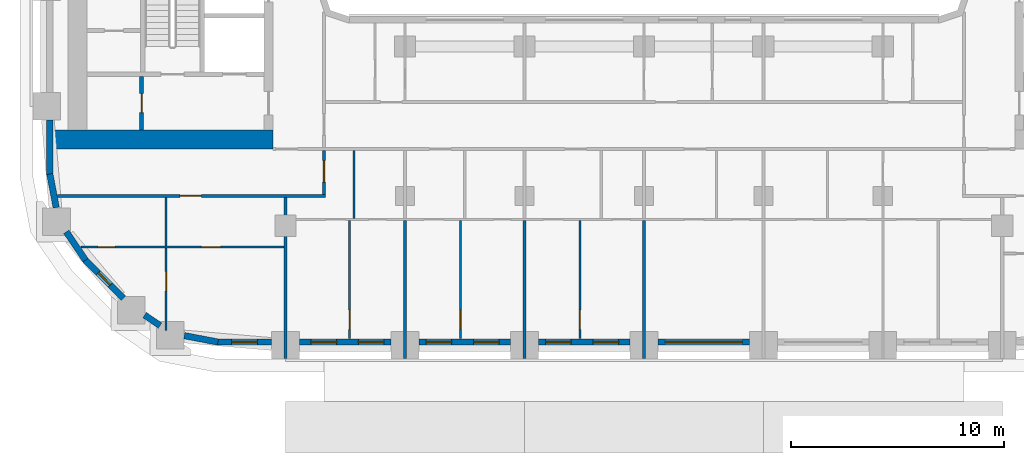
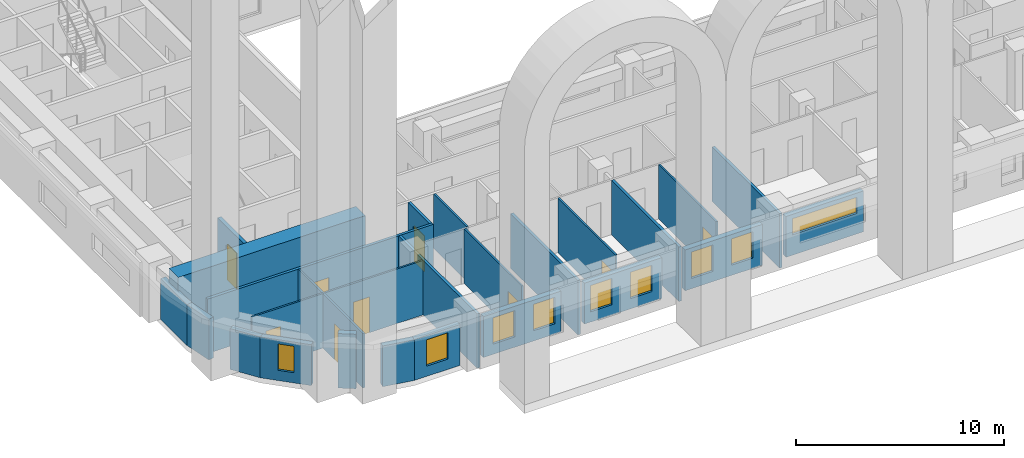
# One storey, part 2 of 19: 26 walls, 9 doors, 9 windows, 18 openings.
"""IFC4 building model written with IfcOpenShell, lengths in metres."""

from ifc_helpers import new_model, si_unit, direction, frame, frame_2d, origin, place, context, subcontext, project, spatial, rectangle, extrude, material, layer, layer_set, type_object, element, fill, save


model = new_model("IFC4")

# Units and contexts
model_context = context("Model", 3, precision=1e-05, world=origin(), true_north=direction((0.0, 1.0)))
body_context = subcontext(model_context, "Body", "Model", "MODEL_VIEW")
ifc_project = project(units=[si_unit("LENGTHUNIT", "METRE"), si_unit("AREAUNIT", "SQUARE_METRE"), si_unit("VOLUMEUNIT", "CUBIC_METRE"), si_unit("PLANEANGLEUNIT", "RADIAN"), si_unit("MASSUNIT", "GRAM", prefix="KILO")], contexts=[model_context])

# Site, building, storey
site_placement = place(None, origin())
site = spatial("IfcSite", under=ifc_project, at=site_placement, CompositionType="ELEMENT")
building_placement = place(site_placement, origin())
building = spatial("IfcBuilding", under=site, at=building_placement, Name="Kiln Ring Residences", CompositionType="ELEMENT")
storey_placement = place(building_placement, frame((0.0, 0.0, 83.300048828125)))
storey = spatial("IfcBuildingStorey", under=building, at=storey_placement, Name="L20", CompositionType="ELEMENT", Elevation=83.300048828125)

# Wall, opening, door
ifc_material_1 = material(Name="Gypsum board on steel studs", Category="steel")
ifc_layer_1 = layer(ifc_material_1, 0.199951171875)
ifc_layer_set_1 = layer_set([ifc_layer_1], Name="CORE-PARTITION-200")
wall_type_1 = type_object("IfcWallType", Name="CORE-PARTITION-200", PredefinedType="PARTITIONING", material=ifc_layer_set_1)
wall_1_placement = place(storey_placement, frame((-23.550048828125, -12.300048828125, 0.0), z_axis=(0.0, 0.0, 1.0), x_axis=(0.0, 1.0, 0.0)))
wall_1 = element("IfcWall", 1, at=wall_1_placement, inside=storey, type_object=wall_type_1, Name="Core partition west L20 5", PredefinedType="PARTITIONING", context=body_context, shape_type="SweptSolid", body=[
    extrude(rectangle(XDim=2.5, YDim=0.199951171875, at=frame_2d((1.25, 0.0))), origin(), (0.0, 0.0, 1.0), 3.199951171875),
])
opening_1_placement = place(wall_1_placement, frame((0.800048828125, 0.0, 0.0)))
opening_1 = element("IfcOpeningElement", 2, at=opening_1_placement, cuts=wall_1, Name="Opening L20-CW11", PredefinedType="OPENING", context=body_context, shape_type="SweptSolid", body=[
    extrude(rectangle(XDim=0.89990234375, YDim=2.10009765625, at=frame_2d((0.449951171875, 1.050048828125))), frame((0.0, 0.10986328125, 0.0), z_axis=(0.0, -1.0, 0.0), x_axis=(1.0, 0.0, 0.0)), (0.0, 0.0, 1.0), 0.219970703125),
])
ifc_material_2 = material(Name="Steel door leaf", Category="steel")
door_type_1 = type_object("IfcDoorType", Name="CORE-DOOR-ROOM", OperationType="SINGLE_SWING_LEFT", PredefinedType="DOOR", material=ifc_material_2)
door_1_placement = place(opening_1_placement, origin())
door_1 = element("IfcDoor", 3, at=door_1_placement, inside=storey, type_object=door_type_1, Name="Store L20-CW11", OperationType="SINGLE_SWING_LEFT", OverallHeight=2.10009765625, OverallWidth=0.89990234375, PredefinedType="DOOR", context=body_context, shape_type="SweptSolid", body=[
    extrude(rectangle(XDim=0.89990234375, YDim=2.10009765625, at=frame_2d((0.449951171875, 1.050048828125))), frame((0.0, 0.02490234375, 0.0), z_axis=(0.0, -1.0, 0.0), x_axis=(1.0, 0.0, 0.0)), (0.0, 0.0, 1.0), 0.050048828125),
])
fill(opening_1, door_1)

# Wall
ifc_material_3 = material(Name="Concrete C60/75", Category="concrete")
ifc_layer_2 = layer(ifc_material_3, 0.89990234375)
ifc_layer_set_2 = layer_set([ifc_layer_2], Name="CORE-WALL-RC900")
wall_type_2 = type_object("IfcWallType", Name="CORE-WALL-RC900", PredefinedType="SHEAR", material=ifc_layer_set_2)
wall_2_placement = place(storey_placement, frame((-17.39990234375, -12.75, 0.0), z_axis=(0.0, 0.0, 1.0), x_axis=(-1.0, 0.0, 0.0)))
element("IfcWall", 4, at=wall_2_placement, inside=storey, type_object=wall_type_2, Name="Core wall west L20 5", PredefinedType="SHEAR", context=body_context, shape_type="SweptSolid", body=[
    extrude(rectangle(XDim=10.400146484375, YDim=0.89990234375, at=frame_2d((5.2001953125, 0.0))), origin(), (0.0, 0.0, 1.0), 3.199951171875),
])

# Wall, opening, window
ifc_material_4 = material(Name="Brick masonry, dark clay brick", Category="masonry")
ifc_layer_3 = layer(ifc_material_4, 0.300048828125)
ifc_layer_set_3 = layer_set([ifc_layer_3], Name="EW-300 BRICK WALL")
wall_type_3 = type_object("IfcWallType", Name="EW-300 BRICK WALL", PredefinedType="SOLIDWALL", material=ifc_layer_set_3)
wall_3_placement = place(storey_placement, frame((-26.19677734375, -18.390869140625, 0.0), z_axis=(0.0, 0.0, 1.0), x_axis=(0.707058908279, -0.707154650853, 0.0)))
wall_3 = element("IfcWall", 5, at=wall_3_placement, inside=storey, type_object=wall_type_3, Name="Facade wall L20 1", PredefinedType="SOLIDWALL", context=body_context, shape_type="SweptSolid", body=[
    extrude(rectangle(XDim=2.550048828125, YDim=0.300048828125, at=frame_2d((1.27490234375, 0.0))), origin(), (0.0, 0.0, 1.0), 2.39990234375),
])
opening_2_placement = place(wall_3_placement, frame((0.875, 0.0, 0.60009765625)))
opening_2 = element("IfcOpeningElement", 6, at=opening_2_placement, cuts=wall_3, Name="Opening W5", PredefinedType="OPENING", context=body_context, shape_type="SweptSolid", body=[
    extrude(rectangle(XDim=0.800048828125, YDim=1.550048828125, at=frame_2d((0.39990234375, 0.77490234375))), frame((0.0, 0.159912109375, 0.0), z_axis=(0.0, -1.0, 0.0), x_axis=(1.0, 0.0, 0.0)), (0.0, 0.0, 1.0), 0.320068359375),
])
ifc_material_5 = material(Name="Aluminium frame with double glazing", Category="aluminium")
window_type_1 = type_object("IfcWindowType", Name="WINDOW 800 x 1550", PartitioningType="SINGLE_PANEL", PredefinedType="WINDOW", material=ifc_material_5)
window_1_placement = place(opening_2_placement, origin())
window_1 = element("IfcWindow", 7, at=window_1_placement, inside=storey, type_object=window_type_1, Name="Window L20 1", OverallHeight=1.550048828125, OverallWidth=0.800048828125, PartitioningType="SINGLE_PANEL", PredefinedType="WINDOW", context=body_context, shape_type="SweptSolid", body=[
    extrude(rectangle(XDim=0.800048828125, YDim=1.550048828125, at=frame_2d((0.39990234375, 0.77490234375))), frame((0.0, 0.030029296875, 0.0), z_axis=(0.0, -1.0, 0.0), x_axis=(1.0, 0.0, 0.0)), (0.0, 0.0, 1.0), 0.06005859375),
])
fill(opening_2, window_1)

# Walls
wall_4_placement = place(storey_placement, frame((-23.409912109375, -20.988525390625, 0.0), z_axis=(0.0, 0.0, 1.0), x_axis=(0.827050703543, -0.562127328787, 0.0)))
element("IfcWall", 8, at=wall_4_placement, inside=storey, type_object=wall_type_3, Name="Facade wall L20 2", PredefinedType="SOLIDWALL", context=body_context, shape_type="SweptSolid", body=[
    extrude(rectangle(XDim=0.877197265625, YDim=0.300048828125, at=frame_2d((0.4384765625, 0.0))), origin(), (0.0, 0.0, 1.0), 3.199951171875),
])
wall_5_placement = place(storey_placement, frame((-21.549560546875, -21.95166015625, 0.0), z_axis=(0.0, 0.0, 1.0), x_axis=(0.982278644094, -0.187426426519, 0.0)))
element("IfcWall", 9, at=wall_5_placement, inside=storey, type_object=wall_type_3, Name="Facade wall L20 3", PredefinedType="SOLIDWALL", context=body_context, shape_type="SweptSolid", body=[
    extrude(rectangle(XDim=1.606201171875, YDim=0.300048828125, at=frame_2d((0.80322265625, 0.0))), origin(), (0.0, 0.0, 1.0), 2.39990234375),
])

# Wall, opening, window
wall_6_placement = place(storey_placement, frame((-20.0, -22.25, 0.0), z_axis=(0.0, 0.0, 1.0), x_axis=(1.0, 0.0, 0.0)))
wall_6 = element("IfcWall", 10, at=wall_6_placement, inside=storey, type_object=wall_type_3, Name="Facade wall L20 4", PredefinedType="SOLIDWALL", context=body_context, shape_type="SweptSolid", body=[
    extrude(rectangle(XDim=2.550048828125, YDim=0.300048828125, at=frame_2d((1.27490234375, 0.0))), origin(), (0.0, 0.0, 1.0), 2.39990234375),
])
opening_3_placement = place(wall_6_placement, frame((0.675048828125, 0.0, 0.60009765625)))
opening_3 = element("IfcOpeningElement", 11, at=opening_3_placement, cuts=wall_6, Name="Opening W1", PredefinedType="OPENING", context=body_context, shape_type="SweptSolid", body=[
    extrude(rectangle(XDim=1.199951171875, YDim=1.550048828125, at=frame_2d((0.60009765625, 0.77490234375))), frame((0.0, 0.159912109375, 0.0), z_axis=(0.0, -1.0, 0.0), x_axis=(1.0, 0.0, 0.0)), (0.0, 0.0, 1.0), 0.320068359375),
])
ifc_material_6 = material(Name="Aluminium frame with double glazing", Category="aluminium")
window_type_2 = type_object("IfcWindowType", Name="WINDOW 1200 x 1550", PartitioningType="SINGLE_PANEL", PredefinedType="WINDOW", material=ifc_material_6)
window_2_placement = place(opening_3_placement, origin())
window_2 = element("IfcWindow", 12, at=window_2_placement, inside=storey, type_object=window_type_2, Name="Window L20 2", OverallHeight=1.550048828125, OverallWidth=1.199951171875, PartitioningType="SINGLE_PANEL", PredefinedType="WINDOW", context=body_context, shape_type="SweptSolid", body=[
    extrude(rectangle(XDim=1.199951171875, YDim=1.550048828125, at=frame_2d((0.60009765625, 0.77490234375))), frame((0.0, 0.030029296875, 0.0), z_axis=(0.0, -1.0, 0.0), x_axis=(1.0, 0.0, 0.0)), (0.0, 0.0, 1.0), 0.06005859375),
])
fill(opening_3, window_2)

# Wall, openings, windows
wall_7_placement = place(storey_placement, frame((-16.14990234375, -22.25, 0.0), z_axis=(0.0, 0.0, 1.0), x_axis=(1.0, 0.0, 0.0)))
wall_7 = element("IfcWall", 13, at=wall_7_placement, inside=storey, type_object=wall_type_3, Name="Facade wall L20 5", PredefinedType="SOLIDWALL", context=body_context, shape_type="SweptSolid", body=[
    extrude(rectangle(XDim=4.2998046875, YDim=0.300048828125, at=frame_2d((2.14990234375, 0.0))), origin(), (0.0, 0.0, 1.0), 2.39990234375),
])
opening_4_placement = place(wall_7_placement, frame((0.53759765625, 0.0, 0.60009765625)))
opening_4 = element("IfcOpeningElement", 14, at=opening_4_placement, cuts=wall_7, Name="Opening W1", PredefinedType="OPENING", context=body_context, shape_type="SweptSolid", body=[
    extrude(rectangle(XDim=1.199951171875, YDim=1.550048828125, at=frame_2d((0.60009765625, 0.77490234375))), frame((0.0, 0.159912109375, 0.0), z_axis=(0.0, -1.0, 0.0), x_axis=(1.0, 0.0, 0.0)), (0.0, 0.0, 1.0), 0.320068359375),
])
opening_5_placement = place(wall_7_placement, frame((2.762451171875, 0.0, 0.60009765625)))
opening_5 = element("IfcOpeningElement", 15, at=opening_5_placement, cuts=wall_7, Name="Opening W1", PredefinedType="OPENING", context=body_context, shape_type="SweptSolid", body=[
    extrude(rectangle(XDim=1.199951171875, YDim=1.550048828125, at=frame_2d((0.60009765625, 0.77490234375))), frame((0.0, 0.159912109375, 0.0), z_axis=(0.0, -1.0, 0.0), x_axis=(1.0, 0.0, 0.0)), (0.0, 0.0, 1.0), 0.320068359375),
])
window_3_placement = place(opening_4_placement, origin())
window_3 = element("IfcWindow", 16, at=window_3_placement, inside=storey, type_object=window_type_2, Name="Window L20 3", OverallHeight=1.550048828125, OverallWidth=1.199951171875, PartitioningType="SINGLE_PANEL", PredefinedType="WINDOW", context=body_context, shape_type="SweptSolid", body=[
    extrude(rectangle(XDim=1.199951171875, YDim=1.550048828125, at=frame_2d((0.60009765625, 0.77490234375))), frame((0.0, 0.030029296875, 0.0), z_axis=(0.0, -1.0, 0.0), x_axis=(1.0, 0.0, 0.0)), (0.0, 0.0, 1.0), 0.06005859375),
])
fill(opening_4, window_3)
window_4_placement = place(opening_5_placement, origin())
window_4 = element("IfcWindow", 17, at=window_4_placement, inside=storey, type_object=window_type_2, Name="Window L20 4", OverallHeight=1.550048828125, OverallWidth=1.199951171875, PartitioningType="SINGLE_PANEL", PredefinedType="WINDOW", context=body_context, shape_type="SweptSolid", body=[
    extrude(rectangle(XDim=1.199951171875, YDim=1.550048828125, at=frame_2d((0.60009765625, 0.77490234375))), frame((0.0, 0.030029296875, 0.0), z_axis=(0.0, -1.0, 0.0), x_axis=(1.0, 0.0, 0.0)), (0.0, 0.0, 1.0), 0.06005859375),
])
fill(opening_5, window_4)

wall_8_placement = place(storey_placement, frame((-10.550048828125, -22.25, 0.0), z_axis=(0.0, 0.0, 1.0), x_axis=(1.0, 0.0, 0.0)))
wall_8 = element("IfcWall", 18, at=wall_8_placement, inside=storey, type_object=wall_type_3, Name="Facade wall L20 6", PredefinedType="SOLIDWALL", context=body_context, shape_type="SweptSolid", body=[
    extrude(rectangle(XDim=4.300048828125, YDim=0.300048828125, at=frame_2d((2.14990234375, 0.0))), origin(), (0.0, 0.0, 1.0), 2.39990234375),
])
opening_6_placement = place(wall_8_placement, frame((0.33740234375, 0.0, 0.60009765625)))
opening_6 = element("IfcOpeningElement", 19, at=opening_6_placement, cuts=wall_8, Name="Opening W1", PredefinedType="OPENING", context=body_context, shape_type="SweptSolid", body=[
    extrude(rectangle(XDim=1.199951171875, YDim=1.550048828125, at=frame_2d((0.60009765625, 0.77490234375))), frame((0.0, 0.159912109375, 0.0), z_axis=(0.0, -1.0, 0.0), x_axis=(1.0, 0.0, 0.0)), (0.0, 0.0, 1.0), 0.320068359375),
])
opening_7_placement = place(wall_8_placement, frame((2.5625, 0.0, 0.60009765625)))
opening_7 = element("IfcOpeningElement", 20, at=opening_7_placement, cuts=wall_8, Name="Opening W1", PredefinedType="OPENING", context=body_context, shape_type="SweptSolid", body=[
    extrude(rectangle(XDim=1.199951171875, YDim=1.550048828125, at=frame_2d((0.60009765625, 0.77490234375))), frame((0.0, 0.159912109375, 0.0), z_axis=(0.0, -1.0, 0.0), x_axis=(1.0, 0.0, 0.0)), (0.0, 0.0, 1.0), 0.320068359375),
])
window_5_placement = place(opening_6_placement, origin())
window_5 = element("IfcWindow", 21, at=window_5_placement, inside=storey, type_object=window_type_2, Name="Window L20 5", OverallHeight=1.550048828125, OverallWidth=1.199951171875, PartitioningType="SINGLE_PANEL", PredefinedType="WINDOW", context=body_context, shape_type="SweptSolid", body=[
    extrude(rectangle(XDim=1.199951171875, YDim=1.550048828125, at=frame_2d((0.60009765625, 0.77490234375))), frame((0.0, 0.030029296875, 0.0), z_axis=(0.0, -1.0, 0.0), x_axis=(1.0, 0.0, 0.0)), (0.0, 0.0, 1.0), 0.06005859375),
])
fill(opening_6, window_5)
window_6_placement = place(opening_7_placement, origin())
window_6 = element("IfcWindow", 22, at=window_6_placement, inside=storey, type_object=window_type_2, Name="Window L20 6", OverallHeight=1.550048828125, OverallWidth=1.199951171875, PartitioningType="SINGLE_PANEL", PredefinedType="WINDOW", context=body_context, shape_type="SweptSolid", body=[
    extrude(rectangle(XDim=1.199951171875, YDim=1.550048828125, at=frame_2d((0.60009765625, 0.77490234375))), frame((0.0, 0.030029296875, 0.0), z_axis=(0.0, -1.0, 0.0), x_axis=(1.0, 0.0, 0.0)), (0.0, 0.0, 1.0), 0.06005859375),
])
fill(opening_7, window_6)

wall_9_placement = place(storey_placement, frame((-4.949951171875, -22.25, 0.0), z_axis=(0.0, 0.0, 1.0), x_axis=(1.0, 0.0, 0.0)))
wall_9 = element("IfcWall", 23, at=wall_9_placement, inside=storey, type_object=wall_type_3, Name="Facade wall L20 7", PredefinedType="SOLIDWALL", context=body_context, shape_type="SweptSolid", body=[
    extrude(rectangle(XDim=4.300048828125, YDim=0.300048828125, at=frame_2d((2.14990234375, 0.0))), origin(), (0.0, 0.0, 1.0), 2.39990234375),
])
opening_8_placement = place(wall_9_placement, frame((0.33740234375, 0.0, 0.60009765625)))
opening_8 = element("IfcOpeningElement", 24, at=opening_8_placement, cuts=wall_9, Name="Opening W1", PredefinedType="OPENING", context=body_context, shape_type="SweptSolid", body=[
    extrude(rectangle(XDim=1.199951171875, YDim=1.550048828125, at=frame_2d((0.60009765625, 0.77490234375))), frame((0.0, 0.159912109375, 0.0), z_axis=(0.0, -1.0, 0.0), x_axis=(1.0, 0.0, 0.0)), (0.0, 0.0, 1.0), 0.320068359375),
])
opening_9_placement = place(wall_9_placement, frame((2.5625, 0.0, 0.60009765625)))
opening_9 = element("IfcOpeningElement", 25, at=opening_9_placement, cuts=wall_9, Name="Opening W1", PredefinedType="OPENING", context=body_context, shape_type="SweptSolid", body=[
    extrude(rectangle(XDim=1.199951171875, YDim=1.550048828125, at=frame_2d((0.60009765625, 0.77490234375))), frame((0.0, 0.159912109375, 0.0), z_axis=(0.0, -1.0, 0.0), x_axis=(1.0, 0.0, 0.0)), (0.0, 0.0, 1.0), 0.320068359375),
])
window_7_placement = place(opening_8_placement, origin())
window_7 = element("IfcWindow", 26, at=window_7_placement, inside=storey, type_object=window_type_2, Name="Window L20 7", OverallHeight=1.550048828125, OverallWidth=1.199951171875, PartitioningType="SINGLE_PANEL", PredefinedType="WINDOW", context=body_context, shape_type="SweptSolid", body=[
    extrude(rectangle(XDim=1.199951171875, YDim=1.550048828125, at=frame_2d((0.60009765625, 0.77490234375))), frame((0.0, 0.030029296875, 0.0), z_axis=(0.0, -1.0, 0.0), x_axis=(1.0, 0.0, 0.0)), (0.0, 0.0, 1.0), 0.06005859375),
])
fill(opening_8, window_7)
window_8_placement = place(opening_9_placement, origin())
window_8 = element("IfcWindow", 27, at=window_8_placement, inside=storey, type_object=window_type_2, Name="Window L20 8", OverallHeight=1.550048828125, OverallWidth=1.199951171875, PartitioningType="SINGLE_PANEL", PredefinedType="WINDOW", context=body_context, shape_type="SweptSolid", body=[
    extrude(rectangle(XDim=1.199951171875, YDim=1.550048828125, at=frame_2d((0.60009765625, 0.77490234375))), frame((0.0, 0.030029296875, 0.0), z_axis=(0.0, -1.0, 0.0), x_axis=(1.0, 0.0, 0.0)), (0.0, 0.0, 1.0), 0.06005859375),
])
fill(opening_9, window_8)

# Wall, opening, window
wall_10_placement = place(storey_placement, frame((0.64990234375, -22.25, 0.0), z_axis=(0.0, 0.0, 1.0), x_axis=(1.0, 0.0, 0.0)))
wall_10 = element("IfcWall", 28, at=wall_10_placement, inside=storey, type_object=wall_type_3, Name="Facade wall L20 8", PredefinedType="SOLIDWALL", context=body_context, shape_type="SweptSolid", body=[
    extrude(rectangle(XDim=4.300048828125, YDim=0.300048828125, at=frame_2d((2.14990234375, 0.0))), origin(), (0.0, 0.0, 1.0), 2.39990234375),
])
opening_10_placement = place(wall_10_placement, frame((0.35009765625, 0.0, 1.199951171875)))
opening_10 = element("IfcOpeningElement", 29, at=opening_10_placement, cuts=wall_10, Name="Opening W4", PredefinedType="OPENING", context=body_context, shape_type="SweptSolid", body=[
    extrude(rectangle(XDim=3.60009765625, YDim=0.949951171875, at=frame_2d((1.800048828125, 0.47509765625))), frame((0.0, 0.159912109375, 0.0), z_axis=(0.0, -1.0, 0.0), x_axis=(1.0, 0.0, 0.0)), (0.0, 0.0, 1.0), 0.320068359375),
])
ifc_material_7 = material(Name="Aluminium frame with double glazing", Category="aluminium")
window_type_3 = type_object("IfcWindowType", Name="WINDOW 3600 x 950", PartitioningType="SINGLE_PANEL", PredefinedType="WINDOW", material=ifc_material_7)
window_9_placement = place(opening_10_placement, origin())
window_9 = element("IfcWindow", 30, at=window_9_placement, inside=storey, type_object=window_type_3, Name="Window L20 9", OverallHeight=0.949951171875, OverallWidth=3.60009765625, PartitioningType="SINGLE_PANEL", PredefinedType="WINDOW", context=body_context, shape_type="SweptSolid", body=[
    extrude(rectangle(XDim=3.60009765625, YDim=0.949951171875, at=frame_2d((1.800048828125, 0.47509765625))), frame((0.0, 0.030029296875, 0.0), z_axis=(0.0, -1.0, 0.0), x_axis=(1.0, 0.0, 0.0)), (0.0, 0.0, 1.0), 0.06005859375),
])
fill(opening_10, window_9)

# Walls
wall_11_placement = place(storey_placement, frame((-27.85009765625, -11.85009765625, 0.0), z_axis=(0.0, 0.0, 1.0), x_axis=(0.0, -1.0, 0.0)))
element("IfcWall", 31, at=wall_11_placement, inside=storey, type_object=wall_type_3, Name="Facade wall L20 46", PredefinedType="SOLIDWALL", context=body_context, shape_type="SweptSolid", body=[
    extrude(rectangle(XDim=2.5498046875, YDim=0.300048828125, at=frame_2d((1.27490234375, 0.0))), origin(), (0.0, 0.0, 1.0), 2.39990234375),
])
for number, where, z_axis, x_axis, name in (
    (32, (-27.8525390625, -14.371826171875, 0.0), (0.0, 0.0, 1.0), (0.187279751651, -0.982306619453, 0.0), "Facade wall L20 47"),
    (33, (-27.08154296875, -17.08447265625, 0.0), (0.0, 0.0, 1.0), (0.562010605531, -0.827130025613, 0.0), "Facade wall L20 48"),
):
    element("IfcWall", number, at=place(storey_placement, frame(where, z_axis=z_axis, x_axis=x_axis)), inside=storey, type_object=wall_type_3, Name=name, PredefinedType="SOLIDWALL", context=body_context, shape_type="SweptSolid", body=[
        extrude(rectangle(XDim=1.60595703125, YDim=0.300048828125, at=frame_2d((0.802978515625, 0.0))), origin(), (0.0, 0.0, 1.0), 2.39990234375),
    ])

# Wall, openings, doors
ifc_material_8 = material(Name="Gypsum board on steel studs", Category="steel")
ifc_layer_4 = layer(ifc_material_8, 0.10009765625)
ifc_layer_set_4 = layer_set([ifc_layer_4], Name="PARTITION-100")
wall_type_4 = type_object("IfcWallType", Name="PARTITION-100", PredefinedType="PARTITIONING", material=ifc_layer_set_4)
wall_12_placement = place(storey_placement, frame((-26.39404296875, -17.800048828125, 0.0), z_axis=(0.0, 0.0, 1.0), x_axis=(1.0, 0.0, 0.0)))
wall_12 = element("IfcWall", 34, at=wall_12_placement, inside=storey, type_object=wall_type_4, Name="Partition 001", PredefinedType="PARTITIONING", context=body_context, shape_type="SweptSolid", body=[
    extrude(rectangle(XDim=9.51904296875, YDim=0.10009765625, at=frame_2d((4.759521484375, 0.0))), origin(), (0.0, 0.0, 1.0), 3.199951171875),
])
opening_11_placement = place(wall_12_placement, frame((0.7939453125, 0.0, 0.0)))
opening_11 = element("IfcOpeningElement", 35, at=opening_11_placement, cuts=wall_12, Name="Opening L20-D078", PredefinedType="OPENING", context=body_context, shape_type="SweptSolid", body=[
    extrude(rectangle(XDim=0.800048828125, YDim=2.10009765625, at=frame_2d((0.39990234375, 1.050048828125))), frame((0.0, 0.06005859375, 0.0), z_axis=(0.0, -1.0, 0.0), x_axis=(1.0, 0.0, 0.0)), (0.0, 0.0, 1.0), 0.1201171875),
])
opening_12_placement = place(wall_12_placement, frame((5.64404296875, 0.0, 0.0)))
opening_12 = element("IfcOpeningElement", 36, at=opening_12_placement, cuts=wall_12, Name="Opening L20-D079", PredefinedType="OPENING", context=body_context, shape_type="SweptSolid", body=[
    extrude(rectangle(XDim=0.89990234375, YDim=2.10009765625, at=frame_2d((0.449951171875, 1.050048828125))), frame((0.0, 0.06005859375, 0.0), z_axis=(0.0, -1.0, 0.0), x_axis=(1.0, 0.0, 0.0)), (0.0, 0.0, 1.0), 0.1201171875),
])
ifc_material_9 = material(Name="Timber door leaf", Category="wood")
door_type_2 = type_object("IfcDoorType", Name="FLAT-DOOR-800-PL", OperationType="SINGLE_SWING_LEFT", PredefinedType="DOOR", material=ifc_material_9)
door_2_placement = place(opening_11_placement, origin())
door_2 = element("IfcDoor", 37, at=door_2_placement, inside=storey, type_object=door_type_2, Name="Door L20-D078", OperationType="SINGLE_SWING_RIGHT", OverallHeight=2.10009765625, OverallWidth=0.800048828125, PredefinedType="DOOR", context=body_context, shape_type="SweptSolid", body=[
    extrude(rectangle(XDim=0.800048828125, YDim=2.10009765625, at=frame_2d((0.39990234375, 1.050048828125))), frame((0.0, 0.02490234375, 0.0), z_axis=(0.0, -1.0, 0.0), x_axis=(1.0, 0.0, 0.0)), (0.0, 0.0, 1.0), 0.050048828125),
])
fill(opening_11, door_2)
ifc_material_10 = material(Name="Timber door leaf", Category="wood")
door_type_3 = type_object("IfcDoorType", Name="FLAT-DOOR-900-PL", OperationType="SINGLE_SWING_LEFT", PredefinedType="DOOR", material=ifc_material_10)
door_3_placement = place(opening_12_placement, origin())
door_3 = element("IfcDoor", 38, at=door_3_placement, inside=storey, type_object=door_type_3, Name="Door L20-D079", OperationType="SINGLE_SWING_LEFT", OverallHeight=2.10009765625, OverallWidth=0.89990234375, PredefinedType="DOOR", context=body_context, shape_type="SweptSolid", body=[
    extrude(rectangle(XDim=0.89990234375, YDim=2.10009765625, at=frame_2d((0.449951171875, 1.050048828125))), frame((0.0, 0.02490234375, 0.0), z_axis=(0.0, -1.0, 0.0), x_axis=(1.0, 0.0, 0.0)), (0.0, 0.0, 1.0), 0.050048828125),
])
fill(opening_12, door_3)

# Wall, opening, door
wall_13_placement = place(storey_placement, frame((-22.39990234375, -21.719970703125, 0.0), z_axis=(0.0, 0.0, 1.0), x_axis=(0.0, 1.0, 0.0)))
wall_13 = element("IfcWall", 39, at=wall_13_placement, inside=storey, type_object=wall_type_4, Name="Partition 014", PredefinedType="PARTITIONING", context=body_context, shape_type="SweptSolid", body=[
    extrude(rectangle(XDim=3.869873046875, YDim=0.10009765625, at=frame_2d((1.93505859375, 0.0))), origin(), (0.0, 0.0, 1.0), 3.199951171875),
])
opening_13_placement = place(wall_13_placement, frame((1.8701171875, 0.0, 0.0)))
opening_13 = element("IfcOpeningElement", 40, at=opening_13_placement, cuts=wall_13, Name="Opening L20-D080", PredefinedType="OPENING", context=body_context, shape_type="SweptSolid", body=[
    extrude(rectangle(XDim=0.89990234375, YDim=2.10009765625, at=frame_2d((0.449951171875, 1.050048828125))), frame((0.0, 0.06005859375, 0.0), z_axis=(0.0, -1.0, 0.0), x_axis=(1.0, 0.0, 0.0)), (0.0, 0.0, 1.0), 0.1201171875),
])
door_4_placement = place(opening_13_placement, origin())
door_4 = element("IfcDoor", 41, at=door_4_placement, inside=storey, type_object=door_type_3, Name="Door L20-D080", OperationType="SINGLE_SWING_LEFT", OverallHeight=2.10009765625, OverallWidth=0.89990234375, PredefinedType="DOOR", context=body_context, shape_type="SweptSolid", body=[
    extrude(rectangle(XDim=0.89990234375, YDim=2.10009765625, at=frame_2d((0.449951171875, 1.050048828125))), frame((0.0, 0.02490234375, 0.0), z_axis=(0.0, -1.0, 0.0), x_axis=(1.0, 0.0, 0.0)), (0.0, 0.0, 1.0), 0.050048828125),
])
fill(opening_13, door_4)

# Wall
wall_14_placement = place(storey_placement, frame((-22.39990234375, -17.75, 0.0), z_axis=(0.0, 0.0, 1.0), x_axis=(0.0, 1.0, 0.0)))
element("IfcWall", 42, at=wall_14_placement, inside=storey, type_object=wall_type_4, Name="Partition 015", PredefinedType="PARTITIONING", context=body_context, shape_type="SweptSolid", body=[
    extrude(rectangle(XDim=2.27490234375, YDim=0.10009765625, at=frame_2d((1.137451171875, 0.0))), origin(), (0.0, 0.0, 1.0), 3.199951171875),
])

# Wall, opening, door
wall_15_placement = place(storey_placement, frame((-13.800048828125, -22.080078125, 0.0), z_axis=(0.0, 0.0, 1.0), x_axis=(0.0, 1.0, 0.0)))
wall_15 = element("IfcWall", 43, at=wall_15_placement, inside=storey, type_object=wall_type_4, Name="Partition 025", PredefinedType="PARTITIONING", context=body_context, shape_type="SweptSolid", body=[
    extrude(rectangle(XDim=5.530029296875, YDim=0.10009765625, at=frame_2d((2.76513671875, 0.0))), origin(), (0.0, 0.0, 1.0), 3.199951171875),
])
opening_14_placement = place(wall_15_placement, frame((0.419921875, 0.0, 0.0)))
opening_14 = element("IfcOpeningElement", 44, at=opening_14_placement, cuts=wall_15, Name="Opening L20-D055", PredefinedType="OPENING", context=body_context, shape_type="SweptSolid", body=[
    extrude(rectangle(XDim=0.89990234375, YDim=2.10009765625, at=frame_2d((0.449951171875, 1.050048828125))), frame((0.0, 0.06005859375, 0.0), z_axis=(0.0, -1.0, 0.0), x_axis=(1.0, 0.0, 0.0)), (0.0, 0.0, 1.0), 0.1201171875),
])
door_5_placement = place(opening_14_placement, origin())
door_5 = element("IfcDoor", 45, at=door_5_placement, inside=storey, type_object=door_type_3, Name="Door L20-D055", OperationType="SINGLE_SWING_LEFT", OverallHeight=2.10009765625, OverallWidth=0.89990234375, PredefinedType="DOOR", context=body_context, shape_type="SweptSolid", body=[
    extrude(rectangle(XDim=0.89990234375, YDim=2.10009765625, at=frame_2d((0.449951171875, 1.050048828125))), frame((0.0, 0.02490234375, 0.0), z_axis=(0.0, -1.0, 0.0), x_axis=(1.0, 0.0, 0.0)), (0.0, 0.0, 1.0), 0.050048828125),
])
fill(opening_14, door_5)

# Wall
wall_16_placement = place(storey_placement, frame((-13.60009765625, -16.449951171875, 0.0), z_axis=(0.0, 0.0, 1.0), x_axis=(0.0, 1.0, 0.0)))
element("IfcWall", 46, at=wall_16_placement, inside=storey, type_object=wall_type_4, Name="Partition 026", PredefinedType="PARTITIONING", context=body_context, shape_type="SweptSolid", body=[
    extrude(rectangle(XDim=3.175048828125, YDim=0.10009765625, at=frame_2d((1.58740234375, 0.0))), origin(), (0.0, 0.0, 1.0), 3.199951171875),
])

# Wall, opening, door
wall_17_placement = place(storey_placement, frame((-8.60009765625, -22.080078125, 0.0), z_axis=(0.0, 0.0, 1.0), x_axis=(0.0, 1.0, 0.0)))
wall_17 = element("IfcWall", 47, at=wall_17_placement, inside=storey, type_object=wall_type_4, Name="Partition 035", PredefinedType="PARTITIONING", context=body_context, shape_type="SweptSolid", body=[
    extrude(rectangle(XDim=5.530029296875, YDim=0.10009765625, at=frame_2d((2.76513671875, 0.0))), origin(), (0.0, 0.0, 1.0), 3.199951171875),
])
opening_15_placement = place(wall_17_placement, frame((0.419921875, 0.0, 0.0)))
opening_15 = element("IfcOpeningElement", 48, at=opening_15_placement, cuts=wall_17, Name="Opening L20-D059", PredefinedType="OPENING", context=body_context, shape_type="SweptSolid", body=[
    extrude(rectangle(XDim=0.89990234375, YDim=2.10009765625, at=frame_2d((0.449951171875, 1.050048828125))), frame((0.0, 0.06005859375, 0.0), z_axis=(0.0, -1.0, 0.0), x_axis=(1.0, 0.0, 0.0)), (0.0, 0.0, 1.0), 0.1201171875),
])
door_6_placement = place(opening_15_placement, origin())
door_6 = element("IfcDoor", 49, at=door_6_placement, inside=storey, type_object=door_type_3, Name="Door L20-D059", OperationType="SINGLE_SWING_LEFT", OverallHeight=2.10009765625, OverallWidth=0.89990234375, PredefinedType="DOOR", context=body_context, shape_type="SweptSolid", body=[
    extrude(rectangle(XDim=0.89990234375, YDim=2.10009765625, at=frame_2d((0.449951171875, 1.050048828125))), frame((0.0, 0.02490234375, 0.0), z_axis=(0.0, -1.0, 0.0), x_axis=(1.0, 0.0, 0.0)), (0.0, 0.0, 1.0), 0.050048828125),
])
fill(opening_15, door_6)

wall_18_placement = place(storey_placement, frame((-3.0, -22.080078125, 0.0), z_axis=(0.0, 0.0, 1.0), x_axis=(0.0, 1.0, 0.0)))
wall_18 = element("IfcWall", 50, at=wall_18_placement, inside=storey, type_object=wall_type_4, Name="Partition 044", PredefinedType="PARTITIONING", context=body_context, shape_type="SweptSolid", body=[
    extrude(rectangle(XDim=5.530029296875, YDim=0.10009765625, at=frame_2d((2.76513671875, 0.0))), origin(), (0.0, 0.0, 1.0), 3.199951171875),
])
opening_16_placement = place(wall_18_placement, frame((0.419921875, 0.0, 0.0)))
opening_16 = element("IfcOpeningElement", 51, at=opening_16_placement, cuts=wall_18, Name="Opening L20-D063", PredefinedType="OPENING", context=body_context, shape_type="SweptSolid", body=[
    extrude(rectangle(XDim=0.89990234375, YDim=2.10009765625, at=frame_2d((0.449951171875, 1.050048828125))), frame((0.0, 0.06005859375, 0.0), z_axis=(0.0, -1.0, 0.0), x_axis=(1.0, 0.0, 0.0)), (0.0, 0.0, 1.0), 0.1201171875),
])
door_7_placement = place(opening_16_placement, origin())
door_7 = element("IfcDoor", 52, at=door_7_placement, inside=storey, type_object=door_type_3, Name="Door L20-D063", OperationType="SINGLE_SWING_LEFT", OverallHeight=2.10009765625, OverallWidth=0.89990234375, PredefinedType="DOOR", context=body_context, shape_type="SweptSolid", body=[
    extrude(rectangle(XDim=0.89990234375, YDim=2.10009765625, at=frame_2d((0.449951171875, 1.050048828125))), frame((0.0, 0.02490234375, 0.0), z_axis=(0.0, -1.0, 0.0), x_axis=(1.0, 0.0, 0.0)), (0.0, 0.0, 1.0), 0.050048828125),
])
fill(opening_16, door_7)

ifc_material_11 = material(Name="Brick masonry partition", Category="masonry")
ifc_layer_5 = layer(ifc_material_11, 0.14990234375)
ifc_layer_set_5 = layer_set([ifc_layer_5], Name="PARTITION-150-ei60")
wall_type_5 = type_object("IfcWallType", Name="PARTITION-150-ei60", PredefinedType="PARTITIONING", material=ifc_layer_set_5)
wall_19_placement = place(storey_placement, frame((-27.48388671875, -15.39990234375, 0.0), z_axis=(0.0, 0.0, 1.0), x_axis=(1.0, 0.0, 0.0)))
wall_19 = element("IfcWall", 53, at=wall_19_placement, inside=storey, type_object=wall_type_5, Name="Partition 003", PredefinedType="PARTITIONING", context=body_context, shape_type="SweptSolid", body=[
    extrude(rectangle(XDim=12.558837890625, YDim=0.14990234375, at=frame_2d((6.279296875, 0.0))), origin(), (0.0, 0.0, 1.0), 3.199951171875),
])
opening_17_placement = place(wall_19_placement, frame((5.73388671875, 0.0, 0.0)))
opening_17 = element("IfcOpeningElement", 54, at=opening_17_placement, cuts=wall_19, Name="Opening L20-D077", PredefinedType="OPENING", context=body_context, shape_type="SweptSolid", body=[
    extrude(rectangle(XDim=1.0, YDim=2.10009765625, at=frame_2d((0.5, 1.050048828125))), frame((0.0, 0.0849609375, 0.0), z_axis=(0.0, -1.0, 0.0), x_axis=(1.0, 0.0, 0.0)), (0.0, 0.0, 1.0), 0.169921875),
])
ifc_material_12 = material(Name="Steel faced fire door leaf", Category="steel")
door_type_4 = type_object("IfcDoorType", Name="FLAT-DOOR-1000-FR", OperationType="SINGLE_SWING_LEFT", PredefinedType="DOOR", material=ifc_material_12)
door_8_placement = place(opening_17_placement, origin())
door_8 = element("IfcDoor", 55, at=door_8_placement, inside=storey, type_object=door_type_4, Name="Door L20-D077", OperationType="SINGLE_SWING_LEFT", OverallHeight=2.10009765625, OverallWidth=1.0, PredefinedType="DOOR", context=body_context, shape_type="SweptSolid", body=[
    extrude(rectangle(XDim=1.0, YDim=2.10009765625, at=frame_2d((0.5, 1.050048828125))), frame((0.0, 0.02490234375, 0.0), z_axis=(0.0, -1.0, 0.0), x_axis=(1.0, 0.0, 0.0)), (0.0, 0.0, 1.0), 0.050048828125),
])
fill(opening_17, door_8)

# Wall
wall_20_placement = place(storey_placement, frame((-16.800048828125, -23.030029296875, 0.0), z_axis=(0.0, 0.0, 1.0), x_axis=(0.0, 1.0, 0.0)))
element("IfcWall", 56, at=wall_20_placement, inside=storey, type_object=wall_type_5, Name="Partition 018", PredefinedType="PARTITIONING", context=body_context, shape_type="SweptSolid", body=[
    extrude(rectangle(XDim=7.554931640625, YDim=0.14990234375, at=frame_2d((3.77734375, 0.0))), origin(), (0.0, 0.0, 1.0), 3.199951171875),
])

# Wall, opening, door
wall_21_placement = place(storey_placement, frame((-15.0, -15.324951171875, 0.0), z_axis=(0.0, 0.0, 1.0), x_axis=(0.0, 1.0, 0.0)))
wall_21 = element("IfcWall", 57, at=wall_21_placement, inside=storey, type_object=wall_type_5, Name="Partition 020", PredefinedType="PARTITIONING", context=body_context, shape_type="SweptSolid", body=[
    extrude(rectangle(XDim=2.050048828125, YDim=0.14990234375, at=frame_2d((1.02490234375, 0.0))), origin(), (0.0, 0.0, 1.0), 3.199951171875),
])
opening_18_placement = place(wall_21_placement, frame((0.573974609375, 0.0, 0.0)))
opening_18 = element("IfcOpeningElement", 58, at=opening_18_placement, cuts=wall_21, Name="Opening L20-D052", PredefinedType="OPENING", context=body_context, shape_type="SweptSolid", body=[
    extrude(rectangle(XDim=1.0, YDim=2.10009765625, at=frame_2d((0.5, 1.050048828125))), frame((0.0, 0.0849609375, 0.0), z_axis=(0.0, -1.0, 0.0), x_axis=(1.0, 0.0, 0.0)), (0.0, 0.0, 1.0), 0.169921875),
])
door_9_placement = place(opening_18_placement, origin())
door_9 = element("IfcDoor", 59, at=door_9_placement, inside=storey, type_object=door_type_4, Name="Door L20-D052", OperationType="SINGLE_SWING_RIGHT", OverallHeight=2.10009765625, OverallWidth=1.0, PredefinedType="DOOR", context=body_context, shape_type="SweptSolid", body=[
    extrude(rectangle(XDim=1.0, YDim=2.10009765625, at=frame_2d((0.5, 1.050048828125))), frame((0.0, 0.02490234375, 0.0), z_axis=(0.0, -1.0, 0.0), x_axis=(1.0, 0.0, 0.0)), (0.0, 0.0, 1.0), 0.050048828125),
])
fill(opening_18, door_9)

# Walls
for number, where, z_axis, x_axis, name in (
    (60, (-11.199951171875, -23.030029296875, 0.0), (0.0, 0.0, 1.0), (0.0, 1.0, 0.0), "Partition 031"),
    (61, (-5.60009765625, -23.030029296875, 0.0), (0.0, 0.0, 1.0), (0.0, 1.0, 0.0), "Partition 041"),
    (62, (0.0, -23.030029296875, 0.0), (0.0, 0.0, 1.0), (0.0, 1.0, 0.0), "Partition 049"),
):
    element("IfcWall", number, at=place(storey_placement, frame(where, z_axis=z_axis, x_axis=x_axis)), inside=storey, type_object=wall_type_5, Name=name, PredefinedType="PARTITIONING", context=body_context, shape_type="SweptSolid", body=[
        extrude(rectangle(XDim=6.47998046875, YDim=0.14990234375, at=frame_2d((3.239990234375, 0.0))), origin(), (0.0, 0.0, 1.0), 3.199951171875),
    ])

save(model, "model.ifc")
